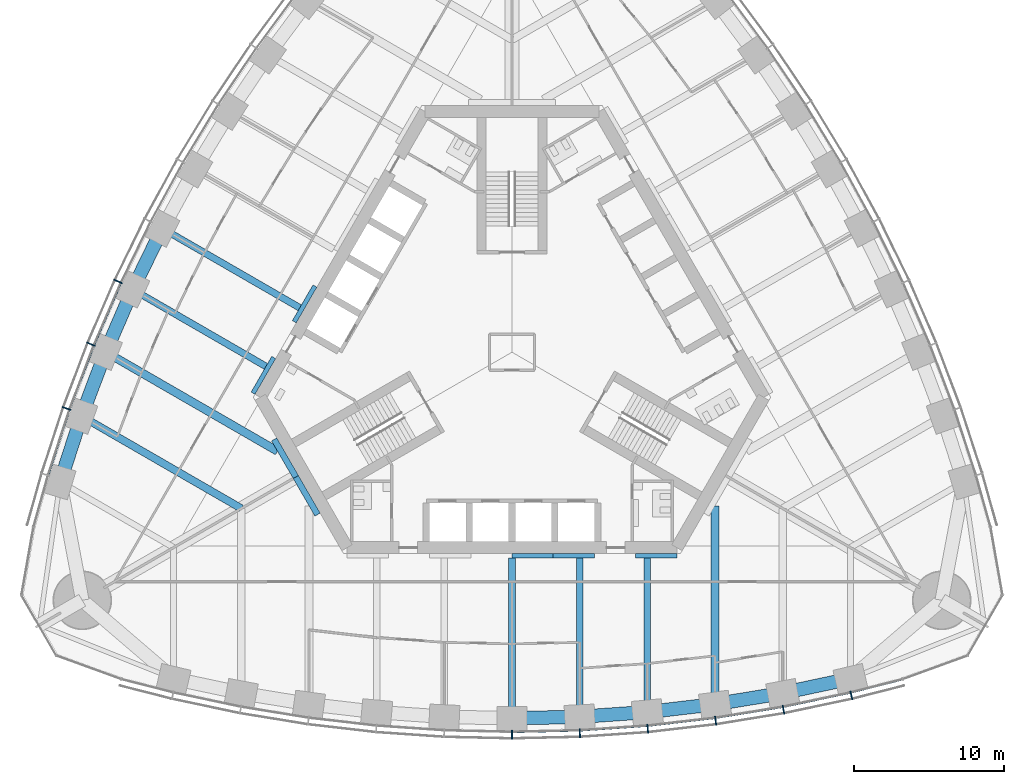
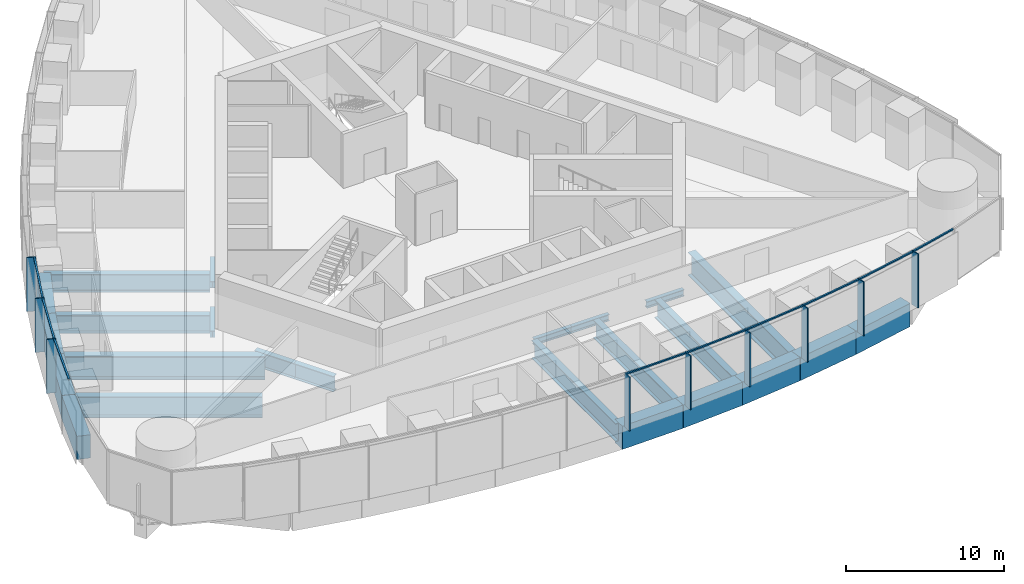
# One storey, part 3 of 19: 24 beams, 18 members, 2 elements without a shape of their own.
"""IFC4 building model written with IfcOpenShell, lengths in metres."""

import ifcopenshell
import ifcopenshell.guid

model = None  # the IFC model being written
_history = None  # IfcOwnerHistory: only IFC2X3 demands one
_inside = {}  # id of a spatial element -> (the spatial element, [elements in it])
_under = {}  # id of a project, library or spatial element -> (it, [spatial elements below it])
_declared = {}  # id of a project -> (the project, [libraries it declares])
_typed = {}  # id of a type object -> (the type object, [elements of that type])
_made_of = {}  # id of a material, layer set ... -> (it, [elements and type objects made of it])


def new_model(schema):
    """Start an empty IFC model of exactly this schema.

    Asked for "IFC4X3", IfcOpenShell would pick the latest addendum, in which some entities
    have other attributes; the version numbers below select the first issue.
    IFC2X3 requires an IfcOwnerHistory on every rooted entity: one is made here for all.
    """
    global model, _history
    if schema == "IFC4X3":
        model = ifcopenshell.file(schema_version=(4, 3, 0, 0))
    else:
        model = ifcopenshell.file(schema=schema)
    _inside.clear()
    _under.clear()
    _declared.clear()
    _typed.clear()
    _made_of.clear()
    _history = None
    if model.schema == "IFC2X3":
        org = make("IfcOrganization", Name="unknown")
        user = make(
            "IfcPersonAndOrganization",
            ThePerson=make("IfcPerson", FamilyName="unknown"),
            TheOrganization=org,
        )
        app = make(
            "IfcApplication",
            ApplicationDeveloper=org,
            Version="unknown",
            ApplicationFullName="unknown",
            ApplicationIdentifier="unknown",
        )
        _history = make(
            "IfcOwnerHistory",
            OwningUser=user,
            OwningApplication=app,
            ChangeAction="ADDED",
            CreationDate=0,
        )
    return model


def make(cls, **values):
    """One entity of the class cls with the attributes given. An attribute that is None is left unset."""
    return model.create_entity(
        cls, **{name: value for name, value in values.items() if value is not None}
    )


def rooted(cls, **values):
    """An entity with a GlobalId (a new one), such as an element, a storey or a relation."""
    return make(cls, GlobalId=ifcopenshell.guid.new(), OwnerHistory=_history, **values)


def si_unit(unit_type, name, prefix=None):
    """IfcSIUnit, for example si_unit("LENGTHUNIT", "METRE", prefix="MILLI")."""
    return make("IfcSIUnit", UnitType=unit_type, Prefix=prefix, Name=name)


def assignment(units):
    """IfcUnitAssignment: the units of a project."""
    return None if units is None else make("IfcUnitAssignment", Units=units)


def point(xyz):
    """IfcCartesianPoint."""
    return None if xyz is None else make("IfcCartesianPoint", Coordinates=xyz)


def direction(xyz):
    """IfcDirection."""
    return None if xyz is None else make("IfcDirection", DirectionRatios=xyz)


def frame(location, z_axis=None, x_axis=None):
    """IfcAxis2Placement3D, a coordinate frame: its origin and axes. An axis left out is left unset."""
    return make(
        "IfcAxis2Placement3D",
        Location=point(location),
        Axis=direction(z_axis),
        RefDirection=direction(x_axis),
    )


def frame_2d(location, x_axis=None):
    """IfcAxis2Placement2D, a coordinate frame in the plane: its origin and x axis."""
    return make(
        "IfcAxis2Placement2D", Location=point(location), RefDirection=direction(x_axis)
    )


def origin():
    """The frame at (0, 0, 0) with its axes left unset."""
    return frame((0.0, 0.0, 0.0))


def origin_2d():
    """The frame at (0, 0) in the plane with its x axis left unset."""
    return frame_2d((0.0, 0.0))


def place(relative_to, where):
    """IfcLocalPlacement: puts the frame where relative to a parent placement (None: the world)."""
    return make(
        "IfcLocalPlacement", PlacementRelTo=relative_to, RelativePlacement=where
    )


def context(
    kind, dimensions, precision=None, world=None, true_north=None, identifier=None
):
    """IfcGeometricRepresentationContext, for example the 3D "Model" context."""
    return make(
        "IfcGeometricRepresentationContext",
        ContextIdentifier=identifier,
        ContextType=kind,
        CoordinateSpaceDimension=dimensions,
        Precision=precision,
        WorldCoordinateSystem=world,
        TrueNorth=true_north,
    )


def subcontext(parent, identifier, kind, view, scale=None):
    """IfcGeometricRepresentationSubContext, for example "Body" below "Model"."""
    return make(
        "IfcGeometricRepresentationSubContext",
        ContextIdentifier=identifier,
        ContextType=kind,
        ParentContext=parent,
        TargetScale=scale,
        TargetView=view,
    )


def project(units=None, contexts=None):
    """IfcProject with its units and contexts."""
    return rooted(
        "IfcProject",
        Name="project",
        RepresentationContexts=contexts,
        UnitsInContext=assignment(units),
    )


def spatial(cls, under=None, at=None, **own):
    """A site, building, storey or space (cls), placed at a placement, below another one or the project."""
    s = rooted(cls, ObjectPlacement=at, **own)
    if under is not None:
        _under.setdefault(under.id(), (under, []))[1].append(s)
    return s


def profile(cls, at=None, kind="AREA", **sizes):
    """A parametric profile (cls). Its sizes go by their IFC names, for example OverallWidth=200.0."""
    return make(cls, ProfileType=kind, Position=at, **sizes)


def rectangle(**sizes):
    """IfcRectangleProfileDef."""
    return profile("IfcRectangleProfileDef", **sizes)


def i_section(**sizes):
    """IfcIShapeProfileDef."""
    return profile("IfcIShapeProfileDef", **sizes)


def extrude(swept, where, along, depth):
    """IfcExtrudedAreaSolid: the profile swept, set in the frame where, extruded along a direction by depth."""
    return make(
        "IfcExtrudedAreaSolid",
        SweptArea=swept,
        Position=where,
        ExtrudedDirection=direction(along),
        Depth=depth,
    )


def shape(context_of_items, identifier, shape_type, items):
    """IfcShapeRepresentation: the items that make up one representation, for example the "Body"."""
    return make(
        "IfcShapeRepresentation",
        ContextOfItems=context_of_items,
        RepresentationIdentifier=identifier,
        RepresentationType=shape_type,
        Items=items,
    )


def material(Name=None, Category=None):
    """IfcMaterial."""
    return make("IfcMaterial", Name=Name, Category=Category)


def material_profile(
    of_material, cross_section, Name=None, Category=None, Priority=None
):
    """IfcMaterialProfile: a cross section and its material."""
    return make(
        "IfcMaterialProfile",
        Name=Name,
        Material=of_material,
        Profile=cross_section,
        Priority=Priority,
        Category=Category,
    )


def profile_set(profiles, Name=None, composite=None):
    """IfcMaterialProfileSet."""
    return make(
        "IfcMaterialProfileSet",
        Name=Name,
        MaterialProfiles=profiles,
        CompositeProfile=composite,
    )


def made_of(thing, what):
    """Note that an element or type object is made of a material, layer set ...; save() writes the relation."""
    if what is not None:
        _made_of.setdefault(what.id(), (what, []))[1].append(thing)
    return thing


def type_object(cls, material=None, **own):
    """A type object (cls), such as IfcWallType, which elements share."""
    return made_of(rooted(cls, **own), material)


def element(
    cls,
    number,
    at=None,
    inside=None,
    cuts=None,
    type_object=None,
    material=None,
    context=None,
    identifier="Body",
    shape_type=None,
    held_by="IfcProductDefinitionShape",
    body=None,
    shapes=None,
    **own,
):
    """One element of the class cls, such as IfcWall. Its Tag is "e" and its number.

    at: its placement. inside: the storey or other place that contains it. cuts: it is an
    opening in that element (IfcRelVoidsElement). A single representation is given by context,
    identifier, shape_type and body (its items); several are given by shapes. held_by: the class
    of the entity that holds the representations. save() writes the other relations.
    """
    e = rooted(cls, Tag="e%d" % number, ObjectPlacement=at, **own)
    if body is not None:
        shapes = [shape(context, identifier, shape_type, body)]
    if shapes is not None:
        e.Representation = make(held_by, Representations=shapes)
    if inside is not None:
        _inside.setdefault(inside.id(), (inside, []))[1].append(e)
    if cuts is not None:
        rooted(
            "IfcRelVoidsElement", RelatingBuildingElement=cuts, RelatedOpeningElement=e
        )
    if type_object is not None:
        _typed.setdefault(type_object.id(), (type_object, []))[1].append(e)
    return made_of(e, material)


def aggregate(whole, parts):
    """IfcRelAggregates: a whole, such as a stair, and the parts it consists of."""
    return rooted("IfcRelAggregates", RelatingObject=whole, RelatedObjects=parts)


def save(model, path):
    """Write the relations noted so far, then the file.

    IfcRelAggregates (storeys below a building ...), IfcRelContainedInSpatialStructure (elements
    in a storey), IfcRelDefinesByType, IfcRelAssociatesMaterial and IfcRelDeclares: one each for
    every whole, place, type object, material and project.
    """
    for whole, parts in _under.values():
        aggregate(whole, parts)
    for where, things in _inside.values():
        rooted(
            "IfcRelContainedInSpatialStructure",
            RelatedElements=things,
            RelatingStructure=where,
        )
    for kind, things in _typed.values():
        rooted("IfcRelDefinesByType", RelatedObjects=things, RelatingType=kind)
    for what, things in _made_of.values():
        rooted("IfcRelAssociatesMaterial", RelatedObjects=things, RelatingMaterial=what)
    for by, libraries in _declared.values():
        rooted("IfcRelDeclares", RelatingContext=by, RelatedDefinitions=libraries)
    model.write(path)


model = new_model("IFC4")

# Units and contexts
model_context = context("Model", 3, precision=1e-05, world=origin(), true_north=direction((0.0, 1.0)))
body_context = subcontext(model_context, "Body", "Model", "MODEL_VIEW")
ifc_project = project(units=[si_unit("LENGTHUNIT", "METRE"), si_unit("AREAUNIT", "SQUARE_METRE"), si_unit("VOLUMEUNIT", "CUBIC_METRE"), si_unit("PLANEANGLEUNIT", "RADIAN"), si_unit("MASSUNIT", "GRAM", prefix="KILO")], contexts=[model_context])

# Site, building, storey
site_placement = place(None, origin())
site = spatial("IfcSite", under=ifc_project, at=site_placement, CompositionType="ELEMENT")
building_placement = place(site_placement, origin())
building = spatial("IfcBuilding", under=site, at=building_placement, Name="Trefoil Bronze Tower", CompositionType="ELEMENT")
storey_placement = place(building_placement, frame((0.0, 0.0, 193.89990234375)))
storey = spatial("IfcBuildingStorey", under=building, at=storey_placement, Name="L44", CompositionType="ELEMENT", Elevation=193.89990234375)

# Curtain wall, members
ifc_material_1 = material(Name="Tinted solar-control glass", Category="glass")
curtain_wall_type = type_object("IfcCurtainWallType", Name="Bronze office curtain wall", PredefinedType="USERDEFINED", material=ifc_material_1)
curtain_wall_1_placement = place(storey_placement, origin())
curtain_wall_1 = element("IfcCurtainWall", 1, at=curtain_wall_1_placement, inside=storey, type_object=curtain_wall_type, Name="CW-A L44 F1", ObjectType="CURTAIN WALL", PredefinedType="USERDEFINED")
ifc_material_2 = material(Name="Bronze-finish aluminium", Category="aluminium")
ifc_material_profile_1 = material_profile(ifc_material_2, rectangle(XDim=0.60009765625, YDim=0.080078125, at=origin_2d()), Name="CW-A mullion")
ifc_profile_set_1 = profile_set([ifc_material_profile_1], Name="Bronze-finish aluminium")
member_type_1 = type_object("IfcMemberType", Name="Bronze office curtain wall mullion", PredefinedType="MULLION", material=ifc_profile_set_1)
member_1_placement = place(storey_placement, frame((0.0, -25.45068359375, 0.0), z_axis=(0.0, 0.0, 1.0), x_axis=(0.0, 1.0, 0.0)))
member_1 = element("IfcMember", 2, at=member_1_placement, type_object=member_type_1, Name="CW-A L44 F1 mullion 7", PredefinedType="MULLION", context=body_context, shape_type="SweptSolid", body=[
    extrude(rectangle(XDim=0.60009765625, YDim=0.080078125, at=origin_2d()), origin(), (0.0, 0.0, 1.0), 4.18017578125),
])
member_2_placement = place(storey_placement, frame((4.513671875, -25.346923828125, 0.0), z_axis=(0.0, 0.0, 1.0), x_axis=(-0.045955542372, 0.998943485952, 0.0)))
member_2 = element("IfcMember", 3, at=member_2_placement, type_object=member_type_1, Name="CW-A L44 F1 mullion 8", PredefinedType="MULLION", context=body_context, shape_type="SweptSolid", body=[
    extrude(rectangle(XDim=0.60009765625, YDim=0.080078125, at=origin_2d()), origin(), (0.0, 0.0, 1.0), 4.18017578125),
])
member_3_placement = place(storey_placement, frame((9.027587890625, -25.03515625, 0.0), z_axis=(0.0, 0.0, 1.0), x_axis=(-0.091911396394, 0.995767189263, 0.0)))
member_3 = element("IfcMember", 4, at=member_3_placement, type_object=member_type_1, Name="CW-A L44 F1 mullion 9", PredefinedType="MULLION", context=body_context, shape_type="SweptSolid", body=[
    extrude(rectangle(XDim=0.60009765625, YDim=0.080078125, at=origin_2d()), origin(), (0.0, 0.0, 1.0), 4.18017578125),
])
member_4_placement = place(storey_placement, frame((13.541259765625, -24.51318359375, 0.0), z_axis=(0.0, 0.0, 1.0), x_axis=(-0.137867887204, 0.990450627582, 0.0)))
member_4 = element("IfcMember", 5, at=member_4_placement, type_object=member_type_1, Name="CW-A L44 F1 mullion 10", PredefinedType="MULLION", context=body_context, shape_type="SweptSolid", body=[
    extrude(rectangle(XDim=0.60009765625, YDim=0.080078125, at=origin_2d()), origin(), (0.0, 0.0, 1.0), 4.18017578125),
])
member_5_placement = place(storey_placement, frame((18.05517578125, -23.77783203125, 0.0), z_axis=(0.0, 0.0, 1.0), x_axis=(-0.183825368167, 0.982958917767, 0.0)))
member_5 = element("IfcMember", 6, at=member_5_placement, type_object=member_type_1, Name="CW-A L44 F1 mullion 11", PredefinedType="MULLION", context=body_context, shape_type="SweptSolid", body=[
    extrude(rectangle(XDim=0.60009765625, YDim=0.080078125, at=origin_2d()), origin(), (0.0, 0.0, 1.0), 4.18017578125),
])
member_6_placement = place(storey_placement, frame((22.568115234375, -22.82421875, 0.0), z_axis=(0.0, 0.0, 1.0), x_axis=(-0.227082662569, 0.973875487093, 0.0)))
member_6 = element("IfcMember", 7, at=member_6_placement, type_object=member_type_1, Name="CW-A L44 F1 mullion 12", PredefinedType="MULLION", context=body_context, shape_type="SweptSolid", body=[
    extrude(rectangle(XDim=0.60009765625, YDim=0.080078125, at=origin_2d()), origin(), (0.0, 0.0, 1.0), 4.18017578125),
])

curtain_wall_2_placement = place(storey_placement, origin())
curtain_wall_2 = element("IfcCurtainWall", 8, at=curtain_wall_2_placement, inside=storey, type_object=curtain_wall_type, Name="CW-A L44 F3", ObjectType="CURTAIN WALL", PredefinedType="USERDEFINED")
member_7_placement = place(storey_placement, frame((-26.19482421875, 4.699462890625, 0.0), z_axis=(0.0, 0.0, 1.0), x_axis=(0.908315380354, -0.418285990457, 0.0)))
member_7 = element("IfcMember", 9, at=member_7_placement, type_object=member_type_1, Name="CW-A L44 F3 mullion 9", PredefinedType="MULLION", context=body_context, shape_type="SweptSolid", body=[
    extrude(rectangle(XDim=0.60009765625, YDim=0.080078125, at=origin_2d()), origin(), (0.0, 0.0, 1.0), 4.18017578125),
])
member_8_placement = place(storey_placement, frame((-27.999755859375, 0.529541015625, 0.0), z_axis=(0.0, 0.0, 1.0), x_axis=(0.926689348282, -0.375828221106, 0.0)))
member_8 = element("IfcMember", 10, at=member_8_placement, type_object=member_type_1, Name="CW-A L44 F3 mullion 10", PredefinedType="MULLION", context=body_context, shape_type="SweptSolid", body=[
    extrude(rectangle(XDim=0.60009765625, YDim=0.080078125, at=origin_2d()), origin(), (0.0, 0.0, 1.0), 4.18017578125),
])
member_9_placement = place(storey_placement, frame((-29.619873046875, -3.747314453125, 0.0), z_axis=(0.0, 0.0, 1.0), x_axis=(0.943180077746, -0.332282020191, 0.0)))
member_9 = element("IfcMember", 11, at=member_9_placement, type_object=member_type_1, Name="CW-A L44 F3 mullion 11", PredefinedType="MULLION", context=body_context, shape_type="SweptSolid", body=[
    extrude(rectangle(XDim=0.60009765625, YDim=0.080078125, at=origin_2d()), origin(), (0.0, 0.0, 1.0), 4.18017578125),
])

# Member
ifc_material_3 = material(Name="Bronze-finish aluminium", Category="aluminium")
ifc_material_profile_2 = material_profile(ifc_material_3, rectangle(XDim=0.1201171875, YDim=0.10009765625, at=origin_2d()), Name="CW-A transom")
ifc_profile_set_2 = profile_set([ifc_material_profile_2], Name="Bronze-finish aluminium")
member_type_2 = type_object("IfcMemberType", Name="Bronze office curtain wall transom", PredefinedType="USERDEFINED", material=ifc_profile_set_2)
member_10_placement = place(storey_placement, frame((0.042236328125, -25.249755859375, 4.130126953125), z_axis=(0.999736131416, 0.022971015226, 0.0), x_axis=(-0.022971015226, 0.999736131416, 0.0)))
member_10 = element("IfcMember", 12, at=member_10_placement, type_object=member_type_2, Name="CW-A L44 F1 transom 7", ObjectType="TRANSOM", PredefinedType="USERDEFINED", context=body_context, shape_type="SweptSolid", body=[
    extrude(rectangle(XDim=0.1201171875, YDim=0.10009765625, at=origin_2d()), origin(), (0.0, 0.0, 1.0), 4.42138671875),
])

member_11_placement = place(storey_placement, frame((4.546875, -25.144287109375, 4.130126953125), z_axis=(0.997621320987, 0.06893257512, 0.0), x_axis=(-0.06893257512, 0.997621320987, 0.0)))
member_11 = element("IfcMember", 13, at=member_11_placement, type_object=member_type_2, Name="CW-A L44 F1 transom 8", ObjectType="TRANSOM", PredefinedType="USERDEFINED", context=body_context, shape_type="SweptSolid", body=[
    extrude(rectangle(XDim=0.1201171875, YDim=0.10009765625, at=origin_2d()), origin(), (0.0, 0.0, 1.0), 4.4306640625),
])

member_12_placement = place(storey_placement, frame((9.05126953125, -24.8310546875, 4.130126953125), z_axis=(0.993384885596, 0.114832352013, 0.0), x_axis=(-0.114832352013, 0.993384885596, 0.0)))
member_12 = element("IfcMember", 14, at=member_12_placement, type_object=member_type_2, Name="CW-A L44 F1 transom 9", ObjectType="TRANSOM", PredefinedType="USERDEFINED", context=body_context, shape_type="SweptSolid", body=[
    extrude(rectangle(XDim=0.1201171875, YDim=0.10009765625, at=origin_2d()), origin(), (0.0, 0.0, 1.0), 4.449951171875),
])

member_13_placement = place(storey_placement, frame((13.5556640625, -24.308349609375, 4.130126953125), z_axis=(0.986988367046, 0.160791676761, 0.0), x_axis=(-0.160791676761, 0.986988367046, 0.0)))
member_13 = element("IfcMember", 15, at=member_13_placement, type_object=member_type_2, Name="CW-A L44 F1 transom 10", ObjectType="TRANSOM", PredefinedType="USERDEFINED", context=body_context, shape_type="SweptSolid", body=[
    extrude(rectangle(XDim=0.1201171875, YDim=0.10009765625, at=origin_2d()), origin(), (0.0, 0.0, 1.0), 4.479248046875),
])

member_14_placement = place(storey_placement, frame((18.059814453125, -23.572509765625, 4.130126953125), z_axis=(0.978395325657, 0.20674280334, 0.0), x_axis=(-0.20674280334, 0.978395325657, 0.0)))
member_14 = element("IfcMember", 16, at=member_14_placement, type_object=member_type_2, Name="CW-A L44 F1 transom 11", ObjectType="TRANSOM", PredefinedType="USERDEFINED", context=body_context, shape_type="SweptSolid", body=[
    extrude(rectangle(XDim=0.1201171875, YDim=0.10009765625, at=origin_2d()), origin(), (0.0, 0.0, 1.0), 4.519287109375),
])

member_15_placement = place(storey_placement, frame((22.5634765625, -22.618896484375, 4.130126953125), z_axis=(0.968935220916, 0.247314653162, 0.0), x_axis=(-0.247314653162, 0.968935220916, 0.0)))
member_15 = element("IfcMember", 17, at=member_15_placement, type_object=member_type_2, Name="CW-A L44 F1 transom 12", ObjectType="TRANSOM", PredefinedType="USERDEFINED", context=body_context, shape_type="SweptSolid", body=[
    extrude(rectangle(XDim=0.1201171875, YDim=0.10009765625, at=origin_2d()), origin(), (0.0, 0.0, 1.0), 3.483642578125),
])

aggregate(curtain_wall_1, [member_1, member_2, member_3, member_4, member_5, member_6, member_10, member_11, member_12, member_13, member_14, member_15])

member_16_placement = place(storey_placement, frame((-26.030029296875, 4.576904296875, 4.130126953125), z_axis=(-0.397220936772, -0.917723012346, 0.0), x_axis=(0.917723012346, -0.397220936772, 0.0)))
member_16 = element("IfcMember", 18, at=member_16_placement, type_object=member_type_2, Name="CW-A L44 F3 transom 9", ObjectType="TRANSOM", PredefinedType="USERDEFINED", context=body_context, shape_type="SweptSolid", body=[
    extrude(rectangle(XDim=0.1201171875, YDim=0.10009765625, at=origin_2d()), origin(), (0.0, 0.0, 1.0), 4.449951171875),
])

member_17_placement = place(storey_placement, frame((-27.829345703125, 0.414794921875, 4.130126953125), z_axis=(-0.354263170896, -0.935145767112, 0.0), x_axis=(0.935145767112, -0.354263170896, 0.0)))
member_17 = element("IfcMember", 19, at=member_17_placement, type_object=member_type_2, Name="CW-A L44 F3 transom 10", ObjectType="TRANSOM", PredefinedType="USERDEFINED", context=body_context, shape_type="SweptSolid", body=[
    extrude(rectangle(XDim=0.1201171875, YDim=0.10009765625, at=origin_2d()), origin(), (0.0, 0.0, 1.0), 4.4794921875),
])

member_18_placement = place(storey_placement, frame((-29.4443359375, -3.85400390625, 4.130126953125), z_axis=(-0.310127806788, -0.950694874004, 0.0), x_axis=(0.950694874004, -0.310127806788, 0.0)))
member_18 = element("IfcMember", 20, at=member_18_placement, type_object=member_type_2, Name="CW-A L44 F3 transom 11", ObjectType="TRANSOM", PredefinedType="USERDEFINED", context=body_context, shape_type="SweptSolid", body=[
    extrude(rectangle(XDim=0.1201171875, YDim=0.10009765625, at=origin_2d()), origin(), (0.0, 0.0, 1.0), 4.51953125),
])

aggregate(curtain_wall_2, [member_7, member_8, member_9, member_16, member_17, member_18])

# Beams
ifc_material_4 = material(Name="Steel C355", Category="steel")
ifc_material_profile_3 = material_profile(ifc_material_4, i_section(OverallWidth=0.300048828125, OverallDepth=0.5, WebThickness=0.014404296875, FlangeThickness=0.028076171875, FilletRadius=0.027099609375, at=origin_2d()), Name="HEB 500")
ifc_profile_set_3 = profile_set([ifc_material_profile_3], Name="Steel C355")
beam_type_1 = type_object("IfcBeamType", Name="Core seat beam HEB 500", PredefinedType="BEAM", material=ifc_profile_set_3)
for number, where, z_axis, x_axis, name in (
    (21, (0.0, -13.550048828125, -0.449951171875), (1.0, 0.0, 0.0), (0.0, 1.0, 0.0), "Core seat beam F1/+0 L44"),
    (22, (2.742431640625, -13.550048828125, -0.449951171875), (1.0, 0.0, 0.0), (0.0, 1.0, 0.0), "Core seat beam F1/+1 L44"),
    (23, (8.227294921875, -13.550048828125, -0.449951171875), (1.0, 0.0, 0.0), (0.0, 1.0, 0.0), "Core seat beam F1/+2 L44"),
    (24, (-13.10595703125, 4.39990234375, -0.449951171875), (-0.499969057507, -0.866043267704, 0.0), (0.866043267704, -0.499969057507, 0.0), "Core seat beam F3/+1 L44"),
    (25, (-15.84814453125, -0.35009765625, -0.449951171875), (-0.500035825175, -0.866004719122, 0.0), (0.866004719122, -0.500035825175, 0.0), "Core seat beam F3/+2 L44"),
):
    element("IfcBeam", number, at=place(storey_placement, frame(where, z_axis=z_axis, x_axis=x_axis)), inside=storey, type_object=beam_type_1, Name=name, PredefinedType="BEAM", context=body_context, shape_type="SweptSolid", body=[
        extrude(i_section(OverallWidth=0.300048828125, OverallDepth=0.5, WebThickness=0.014404296875, FlangeThickness=0.028076171875, FilletRadius=0.027099609375, at=origin_2d()), origin(), (0.0, 0.0, 1.0), 2.742431640625),
    ])
ifc_material_5 = material(Name="Steel C355", Category="steel")
ifc_material_profile_4 = material_profile(ifc_material_5, i_section(OverallWidth=0.39990234375, OverallDepth=1.199951171875, WebThickness=0.02001953125, FlangeThickness=0.0400390625, FilletRadius=0.010009765625, at=origin_2d()), Name="WPG 1200")
ifc_profile_set_4 = profile_set([ifc_material_profile_4], Name="Steel C355")
beam_type_2 = type_object("IfcBeamType", Name="Core seat beam WPG 1200", PredefinedType="BEAM", material=ifc_profile_set_4)
for number, where, z_axis, x_axis, name in (
    (26, (-14.3759765625, -8.300048828125, -0.7998046875), (0.499995765644, -0.866027848477, 0.0), (0.866027848477, 0.499995765644, 0.0), "Core seat beam F1/-3 L44"),
    (27, (-15.8193359375, -5.800048828125, -0.7998046875), (0.499995765644, -0.866027848477, 0.0), (0.866027848477, 0.499995765644, 0.0), "Core seat beam F3/+3 L44"),
):
    element("IfcBeam", number, at=place(storey_placement, frame(where, z_axis=z_axis, x_axis=x_axis)), inside=storey, type_object=beam_type_2, Name=name, PredefinedType="BEAM", context=body_context, shape_type="SweptSolid", body=[
        extrude(i_section(OverallWidth=0.39990234375, OverallDepth=1.199951171875, WebThickness=0.02001953125, FlangeThickness=0.0400390625, FilletRadius=0.010009765625, at=origin_2d()), origin(), (0.0, 0.0, 1.0), 2.88671875),
    ])
ifc_material_6 = material(Name="Steel C355", Category="steel")
ifc_material_profile_5 = material_profile(ifc_material_6, i_section(OverallWidth=0.449951171875, OverallDepth=1.39990234375, WebThickness=0.02294921875, FlangeThickness=0.044921875, FilletRadius=0.011962890625, at=origin_2d()), Name="WPG 1400")
ifc_profile_set_5 = profile_set([ifc_material_profile_5], Name="Steel C355")
beam_type_3 = type_object("IfcBeamType", Name="Floor beam WPG 1400", PredefinedType="BEAM", material=ifc_profile_set_5)
beam_1_placement = place(storey_placement, frame((0.0, -24.3505859375, -0.89990234375), z_axis=(0.0, 1.0, 0.0), x_axis=(-1.0, 0.0, 0.0)))
element("IfcBeam", 28, at=beam_1_placement, inside=storey, type_object=beam_type_3, Name="Floor beam F1/+0 L44", PredefinedType="BEAM", context=body_context, shape_type="SweptSolid", body=[
    extrude(i_section(OverallWidth=0.449951171875, OverallDepth=1.39990234375, WebThickness=0.02294921875, FlangeThickness=0.044921875, FilletRadius=0.011962890625, at=origin_2d()), origin(), (0.0, 0.0, 1.0), 10.650634765625),
])
beam_2_placement = place(storey_placement, frame((4.5, -24.246337890625, -0.89990234375), z_axis=(0.0, 1.0, 0.0), x_axis=(-1.0, 0.0, 0.0)))
element("IfcBeam", 29, at=beam_2_placement, inside=storey, type_object=beam_type_3, Name="Floor beam F1/+1 L44", PredefinedType="BEAM", context=body_context, shape_type="SweptSolid", body=[
    extrude(i_section(OverallWidth=0.449951171875, OverallDepth=1.39990234375, WebThickness=0.02294921875, FlangeThickness=0.044921875, FilletRadius=0.011962890625, at=origin_2d()), origin(), (0.0, 0.0, 1.0), 10.54638671875),
])
beam_3_placement = place(storey_placement, frame((9.0, -23.932861328125, -0.89990234375), z_axis=(0.0, 1.0, 0.0), x_axis=(-1.0, 0.0, 0.0)))
element("IfcBeam", 30, at=beam_3_placement, inside=storey, type_object=beam_type_3, Name="Floor beam F1/+2 L44", PredefinedType="BEAM", context=body_context, shape_type="SweptSolid", body=[
    extrude(i_section(OverallWidth=0.449951171875, OverallDepth=1.39990234375, WebThickness=0.02294921875, FlangeThickness=0.044921875, FilletRadius=0.011962890625, at=origin_2d()), origin(), (0.0, 0.0, 1.0), 10.23291015625),
])
beam_4_placement = place(storey_placement, frame((-23.248046875, 8.22607421875, -0.89990234375), z_axis=(0.866027918957, -0.499995643569, 0.0), x_axis=(0.499995643569, 0.866027918957, 0.0)))
element("IfcBeam", 31, at=beam_4_placement, inside=storey, type_object=beam_type_3, Name="Floor beam F3/+1 L44", PredefinedType="BEAM", context=body_context, shape_type="SweptSolid", body=[
    extrude(i_section(OverallWidth=0.449951171875, OverallDepth=1.39990234375, WebThickness=0.02294921875, FlangeThickness=0.044921875, FilletRadius=0.011962890625, at=origin_2d()), origin(), (0.0, 0.0, 1.0), 10.54638671875),
])
beam_5_placement = place(storey_placement, frame((-25.2265625, 4.17236328125, -0.89990234375), z_axis=(0.866017525653, -0.500013645076, 0.0), x_axis=(0.500013645076, 0.866017525653, 0.0)))
element("IfcBeam", 32, at=beam_5_placement, inside=storey, type_object=beam_type_3, Name="Floor beam F3/+2 L44", PredefinedType="BEAM", context=body_context, shape_type="SweptSolid", body=[
    extrude(i_section(OverallWidth=0.449951171875, OverallDepth=1.39990234375, WebThickness=0.02294921875, FlangeThickness=0.044921875, FilletRadius=0.011962890625, at=origin_2d()), origin(), (0.0, 0.0, 1.0), 10.233154296875),
])
ifc_material_7 = material(Name="Steel C355", Category="steel")
ifc_material_profile_6 = material_profile(ifc_material_7, i_section(OverallWidth=0.5, OverallDepth=1.60009765625, WebThickness=0.02587890625, FlangeThickness=0.050048828125, FilletRadius=0.011962890625, at=origin_2d()), Name="WPG 1600")
ifc_profile_set_6 = profile_set([ifc_material_profile_6], Name="Steel C355")
beam_type_4 = type_object("IfcBeamType", Name="Floor beam WPG 1600", PredefinedType="BEAM", material=ifc_profile_set_6)
beam_6_placement = place(storey_placement, frame((-28.632080078125, -4.25390625, -1.0), z_axis=(0.866025635187, -0.499999599199, 0.0), x_axis=(0.499999599199, 0.866025635187, 0.0)))
element("IfcBeam", 33, at=beam_6_placement, inside=storey, type_object=beam_type_4, Name="Floor beam F3/+4 L44", PredefinedType="BEAM", context=body_context, shape_type="SweptSolid", body=[
    extrude(i_section(OverallWidth=0.5, OverallDepth=1.60009765625, WebThickness=0.02587890625, FlangeThickness=0.050048828125, FilletRadius=0.011962890625, at=origin_2d()), origin(), (0.0, 0.0, 1.0), 12.27685546875),
])
ifc_material_8 = material(Name="Steel C355", Category="steel")
ifc_material_profile_7 = material_profile(ifc_material_8, i_section(OverallWidth=0.550048828125, OverallDepth=1.800048828125, WebThickness=0.029052734375, FlangeThickness=0.054931640625, FilletRadius=0.013916015625, at=origin_2d()), Name="WPG 1800")
ifc_profile_set_7 = profile_set([ifc_material_profile_7], Name="Steel C355")
beam_type_5 = type_object("IfcBeamType", Name="Floor beam WPG 1800", PredefinedType="BEAM", material=ifc_profile_set_7)
for number, where, z_axis, x_axis, name in (
    (34, (13.5, -23.408447265625, -1.099853515625), (0.0, 1.0, 0.0), (-1.0, 0.0, 0.0), "Floor beam F1/+3 L44"),
    (35, (-27.022216796875, 0.012939453125, -1.099853515625), (0.866020385251, -0.500008692254, 0.0), (0.500008692254, 0.866020385251, 0.0), "Floor beam F3/+3 L44"),
):
    element("IfcBeam", number, at=place(storey_placement, frame(where, z_axis=z_axis, x_axis=x_axis)), inside=storey, type_object=beam_type_5, Name=name, PredefinedType="BEAM", context=body_context, shape_type="SweptSolid", body=[
        extrude(i_section(OverallWidth=0.550048828125, OverallDepth=1.800048828125, WebThickness=0.029052734375, FlangeThickness=0.054931640625, FilletRadius=0.013916015625, at=origin_2d()), origin(), (0.0, 0.0, 1.0), 13.191162109375),
    ])
ifc_material_9 = material(Name="Concrete B80", Category="concrete")
ifc_material_profile_8 = material_profile(ifc_material_9, rectangle(XDim=0.89990234375, YDim=1.800048828125, at=origin_2d()), Name="RC 900x1800")
ifc_profile_set_8 = profile_set([ifc_material_profile_8], Name="Concrete B80")
beam_type_6 = type_object("IfcBeamType", Name="Spandrel beam RC 900x1800", PredefinedType="SPANDREL", material=ifc_profile_set_8)
beam_7_placement = place(storey_placement, frame((0.0, -24.3505859375, -1.099853515625), z_axis=(0.999731770792, 0.023160018779, 0.0), x_axis=(-0.023160018779, 0.999731770792, 0.0)))
element("IfcBeam", 36, at=beam_7_placement, inside=storey, type_object=beam_type_6, Name="Spandrel F1.7 L44", PredefinedType="SPANDREL", context=body_context, shape_type="SweptSolid", body=[
    extrude(rectangle(XDim=0.89990234375, YDim=1.800048828125, at=origin_2d()), origin(), (0.0, 0.0, 1.0), 4.501220703125),
])
beam_8_placement = place(storey_placement, frame((4.5, -24.246337890625, -1.099853515625), z_axis=(0.997582435881, 0.069493047291, 0.0), x_axis=(-0.069493047291, 0.997582435881, 0.0)))
element("IfcBeam", 37, at=beam_8_placement, inside=storey, type_object=beam_type_6, Name="Spandrel F1.8 L44", PredefinedType="SPANDREL", context=body_context, shape_type="SweptSolid", body=[
    extrude(rectangle(XDim=0.89990234375, YDim=1.800048828125, at=origin_2d()), origin(), (0.0, 0.0, 1.0), 4.510986328125),
])
beam_9_placement = place(storey_placement, frame((9.0, -23.932861328125, -1.099853515625), z_axis=(0.993278017132, 0.115753102257, 0.0), x_axis=(-0.115753102257, 0.993278017132, 0.0)))
element("IfcBeam", 38, at=beam_9_placement, inside=storey, type_object=beam_type_6, Name="Spandrel F1.9 L44", PredefinedType="SPANDREL", context=body_context, shape_type="SweptSolid", body=[
    extrude(rectangle(XDim=0.89990234375, YDim=1.800048828125, at=origin_2d()), origin(), (0.0, 0.0, 1.0), 4.530517578125),
])
beam_10_placement = place(storey_placement, frame((13.5, -23.408447265625, -1.099853515625), z_axis=(0.986764681833, 0.162158757664, 0.0), x_axis=(-0.162158757664, 0.986764681833, 0.0)))
element("IfcBeam", 39, at=beam_10_placement, inside=storey, type_object=beam_type_6, Name="Spandrel F1.10 L44", PredefinedType="SPANDREL", context=body_context, shape_type="SweptSolid", body=[
    extrude(rectangle(XDim=0.89990234375, YDim=1.800048828125, at=origin_2d()), origin(), (0.0, 0.0, 1.0), 4.560302734375),
])
beam_11_placement = place(storey_placement, frame((18.0, -22.6689453125, -1.099853515625), z_axis=(0.978059483036, 0.208325820877, 0.0), x_axis=(-0.208325820877, 0.978059483036, 0.0)))
element("IfcBeam", 40, at=beam_11_placement, inside=storey, type_object=beam_type_6, Name="Spandrel F1.11 L44", PredefinedType="SPANDREL", context=body_context, shape_type="SweptSolid", body=[
    extrude(rectangle(XDim=0.89990234375, YDim=1.800048828125, at=origin_2d()), origin(), (0.0, 0.0, 1.0), 4.600830078125),
])
beam_12_placement = place(storey_placement, frame((-23.248046875, 8.22607421875, -1.099853515625), z_axis=(-0.438619830351, -0.898672712629, 0.0), x_axis=(0.898672712629, -0.438619830351, 0.0)))
element("IfcBeam", 41, at=beam_12_placement, inside=storey, type_object=beam_type_6, Name="Spandrel F3.8 L44", PredefinedType="SPANDREL", context=body_context, shape_type="SweptSolid", body=[
    extrude(rectangle(XDim=0.89990234375, YDim=1.800048828125, at=origin_2d()), origin(), (0.0, 0.0, 1.0), 4.5107421875),
])
beam_13_placement = place(storey_placement, frame((-25.2265625, 4.17236328125, -1.099853515625), z_axis=(-0.396350337164, -0.918099346602, 0.0), x_axis=(0.918099346602, -0.396350337164, 0.0)))
element("IfcBeam", 42, at=beam_13_placement, inside=storey, type_object=beam_type_6, Name="Spandrel F3.9 L44", PredefinedType="SPANDREL", context=body_context, shape_type="SweptSolid", body=[
    extrude(rectangle(XDim=0.89990234375, YDim=1.800048828125, at=origin_2d()), origin(), (0.0, 0.0, 1.0), 4.530517578125),
])
beam_14_placement = place(storey_placement, frame((-27.022216796875, 0.012939453125, -1.099853515625), z_axis=(-0.353005969632, -0.935621069346, 0.0), x_axis=(0.935621069346, -0.353005969632, 0.0)))
element("IfcBeam", 43, at=beam_14_placement, inside=storey, type_object=beam_type_6, Name="Spandrel F3.10 L44", PredefinedType="SPANDREL", context=body_context, shape_type="SweptSolid", body=[
    extrude(rectangle(XDim=0.89990234375, YDim=1.800048828125, at=origin_2d()), origin(), (0.0, 0.0, 1.0), 4.560546875),
])
beam_15_placement = place(storey_placement, frame((-28.632080078125, -4.25390625, -1.099853515625), z_axis=(-0.308608505504, -0.951189145402, 0.0), x_axis=(0.951189145402, -0.308608505504, 0.0)))
element("IfcBeam", 44, at=beam_15_placement, inside=storey, type_object=beam_type_6, Name="Spandrel F3.11 L44", PredefinedType="SPANDREL", context=body_context, shape_type="SweptSolid", body=[
    extrude(rectangle(XDim=0.89990234375, YDim=1.800048828125, at=origin_2d()), origin(), (0.0, 0.0, 1.0), 4.60107421875),
])

save(model, "model.ifc")
